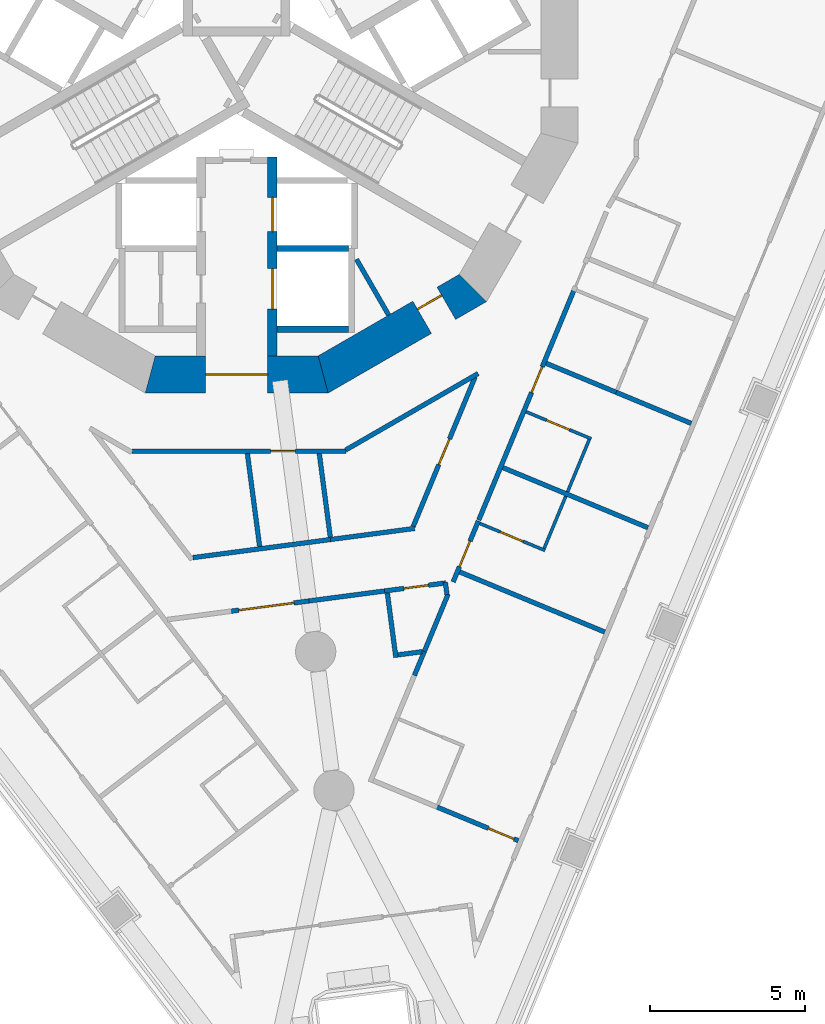
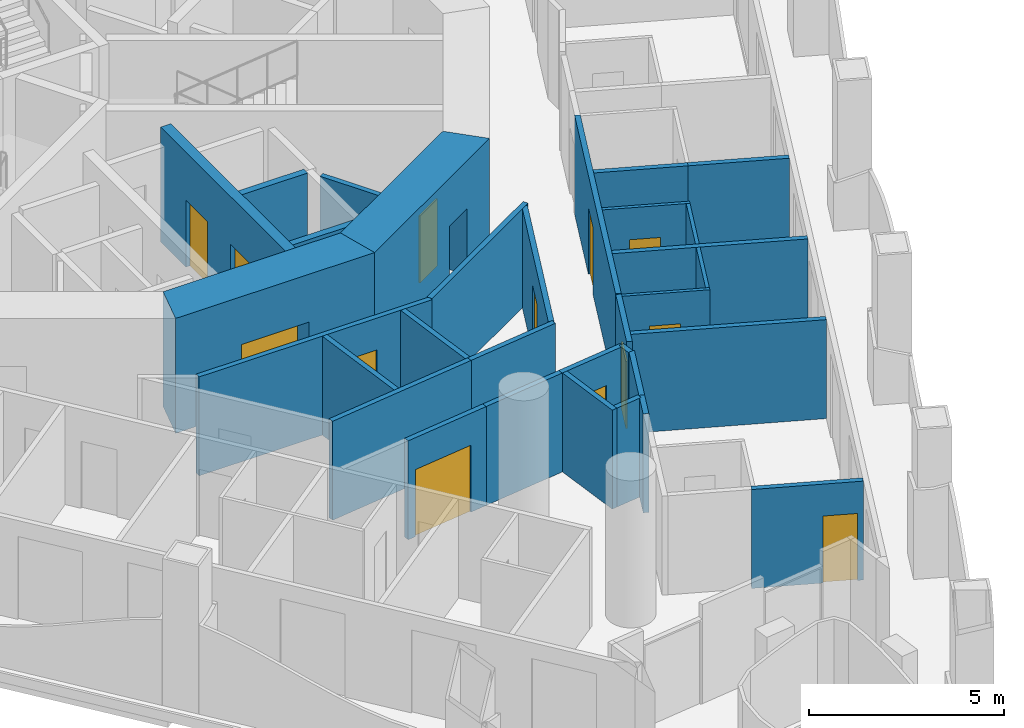
# One storey, part 4 of 19: 32 walls, 13 doors, 13 openings.
"""IFC4 building model written with IfcOpenShell, lengths in metres."""

from ifc_helpers import new_model, si_unit, direction, frame, frame_2d, origin, place, context, subcontext, project, spatial, polyline, rectangle, outline, extrude, material, layer, layer_set, type_object, element, fill, save


model = new_model("IFC4")

# Units and contexts
model_context = context("Model", 3, precision=1e-05, world=origin(), true_north=direction((0.0, 1.0)))
body_context = subcontext(model_context, "Body", "Model", "MODEL_VIEW")
ifc_project = project(units=[si_unit("LENGTHUNIT", "METRE"), si_unit("AREAUNIT", "SQUARE_METRE"), si_unit("VOLUMEUNIT", "CUBIC_METRE"), si_unit("PLANEANGLEUNIT", "RADIAN"), si_unit("MASSUNIT", "GRAM", prefix="KILO")], contexts=[model_context])

# Site, building, storey
site_placement = place(None, origin())
site = spatial("IfcSite", under=ifc_project, at=site_placement, CompositionType="ELEMENT")
building_placement = place(site_placement, origin())
building = spatial("IfcBuilding", under=site, at=building_placement, Name="Trine Commons Tower", CompositionType="ELEMENT")
storey_placement = place(building_placement, frame((0.0, 0.0, 79.199951171875)))
storey = spatial("IfcBuildingStorey", under=building, at=storey_placement, Name="L19", CompositionType="ELEMENT", Elevation=79.199951171875)

# Wall
ifc_material_1 = material(Name="Plasterboard partition on steel studs", Category="steel")
ifc_layer_1 = layer(ifc_material_1, 0.14990234375)
ifc_layer_set_1 = layer_set([ifc_layer_1], Name="Plasterboard partition on steel studs")
wall_type_1 = type_object("IfcWallType", Name="Core room partition 150 mm, EI 60", PredefinedType="PARTITIONING", material=ifc_layer_set_1)
wall_1_placement = place(storey_placement, frame((84.905029296875, 54.0029296875, 0.0), z_axis=(0.0, 0.0, 1.0), x_axis=(-0.5000780968, 0.865980309881, 0.0)))
element("IfcWall", 1, at=wall_1_placement, inside=storey, type_object=wall_type_1, Name="Core room partition L19", PredefinedType="PARTITIONING", context=body_context, shape_type="SweptSolid", body=[
    extrude(rectangle(XDim=2.079833984375, YDim=0.14990234375, at=frame_2d((1.0400390625, 0.0))), origin(), (0.0, 0.0, 1.0), 3.10009765625),
])

# Wall, opening, door
ifc_material_2 = material(Name="Concrete C80/95", Category="concrete")
ifc_layer_2 = layer(ifc_material_2, 1.199951171875)
ifc_layer_set_2 = layer_set([ifc_layer_2], Name="Concrete C80/95")
wall_type_2 = type_object("IfcWallType", Name="RC shear wall 1200 mm, C80/95", PredefinedType="SHEAR", material=ifc_layer_set_2)
wall_2_placement = place(storey_placement, frame((77.049560546875, 52.08837890625, 0.0), z_axis=(0.0, 0.0, 1.0), x_axis=(1.0, 0.0, 0.0)))
wall_2 = element("IfcWall", 2, at=wall_2_placement, inside=storey, type_object=wall_type_2, Name="Core wall CWB-10 L19", PredefinedType="SHEAR", context=body_context, shape_type="SweptSolid", body=[
    extrude(outline(polyline([(0.0, -0.60009765625), (5.90087890625, -0.60009765625), (5.57958984375, 0.60009765625), (0.321533203125, 0.60009765625), (0.0, -0.60009765625)])), origin(), (0.0, 0.0, 1.0), 3.60009765625),
])
opening_1_placement = place(wall_2_placement, frame((1.950439453125, 0.0, 0.0)))
opening_1 = element("IfcOpeningElement", 3, at=opening_1_placement, cuts=wall_2, Name="Opening K06.08", PredefinedType="OPENING", context=body_context, shape_type="SweptSolid", body=[
    extrude(rectangle(XDim=2.0, YDim=2.10009765625, at=frame_2d((1.0, 1.050048828125))), frame((0.0, 0.60986328125, 0.0), z_axis=(0.0, -1.0, 0.0), x_axis=(1.0, 0.0, 0.0)), (0.0, 0.0, 1.0), 1.219970703125),
])
ifc_material_3 = material(Name="Steel door leaves, fire-rated", Category="steel")
door_type_1 = type_object("IfcDoorType", Name="Lobby door, double leaf 2000 x 2100, FD60", OperationType="DOUBLE_DOOR_SINGLE_SWING", PredefinedType="DOOR", material=ifc_material_3)
door_1_placement = place(opening_1_placement, origin())
door_1 = element("IfcDoor", 4, at=door_1_placement, inside=storey, type_object=door_type_1, Name="Lobby door, Service and firefighting lobby L19", OperationType="DOUBLE_DOOR_SINGLE_SWING", OverallHeight=2.10009765625, OverallWidth=2.0, PredefinedType="DOOR", context=body_context, shape_type="SweptSolid", body=[
    extrude(rectangle(XDim=2.0, YDim=2.10009765625, at=frame_2d((1.0, 1.050048828125))), frame((0.0, 0.02490234375, 0.0), z_axis=(0.0, -1.0, 0.0), x_axis=(1.0, 0.0, 0.0)), (0.0, 0.0, 1.0), 0.050048828125),
])
fill(opening_1, door_1)

wall_3_placement = place(storey_placement, frame((82.650390625, 52.008056640625, 0.0), z_axis=(0.0, 0.0, 1.0), x_axis=(0.866037463336, 0.499979111662, 0.0)))
wall_3 = element("IfcWall", 5, at=wall_3_placement, inside=storey, type_object=wall_type_2, Name="Core wall CWB-11 L19", PredefinedType="SHEAR", context=body_context, shape_type="SweptSolid", body=[
    extrude(outline(polyline([(0.0, -0.60009765625), (5.901123046875, -0.60009765625), (5.57958984375, 0.60009765625), (0.321533203125, 0.60009765625), (0.0, -0.60009765625)])), origin(), (0.0, 0.0, 1.0), 3.60009765625),
])
opening_2_placement = place(wall_3_placement, frame((3.849853515625, 0.0, 0.0)))
opening_2 = element("IfcOpeningElement", 6, at=opening_2_placement, cuts=wall_3, Name="Opening K06.16", PredefinedType="OPENING", context=body_context, shape_type="SweptSolid", body=[
    extrude(rectangle(XDim=0.89990234375, YDim=2.10009765625, at=frame_2d((0.449951171875, 1.050048828125))), frame((0.0, 0.60986328125, 0.0), z_axis=(0.0, -1.0, 0.0), x_axis=(1.0, 0.0, 0.0)), (0.0, 0.0, 1.0), 1.219970703125),
])
ifc_material_4 = material(Name="Steel door leaf, fire-rated", Category="steel")
door_type_2 = type_object("IfcDoorType", Name="Core room door, single leaf 900 x 2100, FD30S", OperationType="SINGLE_SWING_LEFT", PredefinedType="DOOR", material=ifc_material_4)
door_2_placement = place(opening_2_placement, origin())
door_2 = element("IfcDoor", 7, at=door_2_placement, inside=storey, type_object=door_type_2, Name="Door to Cleaner's store L19", OperationType="SINGLE_SWING_RIGHT", OverallHeight=2.10009765625, OverallWidth=0.89990234375, PredefinedType="DOOR", context=body_context, shape_type="SweptSolid", body=[
    extrude(rectangle(XDim=0.89990234375, YDim=2.10009765625, at=frame_2d((0.449951171875, 1.050048828125))), frame((0.0, 0.3251953125, 0.0), z_axis=(0.0, -1.0, 0.0), x_axis=(1.0, 0.0, 0.0)), (0.0, 0.0, 1.0), 0.050048828125),
])
fill(opening_2, door_2)

# Wall, openings, doors
ifc_layer_3 = layer(ifc_material_2, 0.300048828125)
ifc_layer_set_3 = layer_set([ifc_layer_3], Name="Concrete C80/95")
wall_type_3 = type_object("IfcWallType", Name="RC shear wall 300 mm, C80/95", PredefinedType="SHEAR", material=ifc_layer_set_3)
wall_4_placement = place(storey_placement, frame((81.14990234375, 59.10009765625, 0.0), z_axis=(0.0, 0.0, 1.0), x_axis=(0.0, -1.0, 0.0)))
wall_4 = element("IfcWall", 8, at=wall_4_placement, inside=storey, type_object=wall_type_3, Name="Core cross wall SWA-04 L19", PredefinedType="SHEAR", context=body_context, shape_type="SweptSolid", body=[
    extrude(rectangle(XDim=6.412109375, YDim=0.300048828125, at=frame_2d((3.2060546875, 0.0))), origin(), (0.0, 0.0, 1.0), 3.60009765625),
])
opening_3_placement = place(wall_4_placement, frame((3.60009765625, 0.0, 0.0)))
opening_3 = element("IfcOpeningElement", 9, at=opening_3_placement, cuts=wall_4, Name="Opening LD11", PredefinedType="OPENING", context=body_context, shape_type="SweptSolid", body=[
    extrude(rectangle(XDim=1.300048828125, YDim=2.10009765625, at=frame_2d((0.64990234375, 1.050048828125))), frame((0.0, 0.159912109375, 0.0), z_axis=(0.0, -1.0, 0.0), x_axis=(1.0, 0.0, 0.0)), (0.0, 0.0, 1.0), 0.320068359375),
])
opening_4_placement = place(wall_4_placement, frame((1.300048828125, 0.0, 0.0)))
opening_4 = element("IfcOpeningElement", 10, at=opening_4_placement, cuts=wall_4, Name="Opening LD9", PredefinedType="OPENING", context=body_context, shape_type="SweptSolid", body=[
    extrude(rectangle(XDim=1.10009765625, YDim=2.10009765625, at=frame_2d((0.550048828125, 1.050048828125))), frame((0.0, 0.159912109375, 0.0), z_axis=(0.0, -1.0, 0.0), x_axis=(1.0, 0.0, 0.0)), (0.0, 0.0, 1.0), 0.320068359375),
])
ifc_material_5 = material(Name="Stainless steel sliding door leaves", Category="steel")
door_type_3 = type_object("IfcDoorType", Name="Lift landing door, centre-opening sliding 1100 x 2100, FD90", OperationType="DOUBLE_DOOR_SLIDING", PredefinedType="DOOR", material=ifc_material_5)
door_3_placement = place(opening_4_placement, origin())
door_3 = element("IfcDoor", 11, at=door_3_placement, inside=storey, type_object=door_type_3, Name="Lift landing door FF1 L19", OperationType="DOUBLE_DOOR_SLIDING", OverallHeight=2.10009765625, OverallWidth=1.10009765625, PredefinedType="DOOR", context=body_context, shape_type="SweptSolid", body=[
    extrude(rectangle(XDim=1.10009765625, YDim=2.10009765625, at=frame_2d((0.550048828125, 1.050048828125))), frame((0.0, 0.02490234375, 0.0), z_axis=(0.0, -1.0, 0.0), x_axis=(1.0, 0.0, 0.0)), (0.0, 0.0, 1.0), 0.050048828125),
])
fill(opening_4, door_3)
door_type_4 = type_object("IfcDoorType", Name="Lift landing door, centre-opening sliding 1300 x 2100, FD90", OperationType="DOUBLE_DOOR_SLIDING", PredefinedType="DOOR", material=ifc_material_5)
door_4_placement = place(opening_3_placement, origin())
door_4 = element("IfcDoor", 12, at=door_4_placement, inside=storey, type_object=door_type_4, Name="Lift landing door G1 L19", OperationType="DOUBLE_DOOR_SLIDING", OverallHeight=2.10009765625, OverallWidth=1.300048828125, PredefinedType="DOOR", context=body_context, shape_type="SweptSolid", body=[
    extrude(rectangle(XDim=1.300048828125, YDim=2.10009765625, at=frame_2d((0.64990234375, 1.050048828125))), frame((0.0, 0.02490234375, 0.0), z_axis=(0.0, -1.0, 0.0), x_axis=(1.0, 0.0, 0.0)), (0.0, 0.0, 1.0), 0.050048828125),
])
fill(opening_3, door_4)

# Walls
ifc_material_6 = material(Name="Fire-rated gypsum shaft wall system")
ifc_layer_4 = layer(ifc_material_6, 0.199951171875)
ifc_layer_set_4 = layer_set([ifc_layer_4], Name="Fire-rated gypsum shaft wall system")
wall_type_4 = type_object("IfcWallType", Name="Shaft wall 200 mm, EI 120", PredefinedType="PARTITIONING", material=ifc_layer_set_4)
for number, where, z_axis, x_axis, name in (
    (13, (81.300048828125, 53.550048828125, 0.0), (0.0, 0.0, 1.0), (1.0, 0.0, 0.0), "Shaft wall L19"),
    (14, (81.300048828125, 56.14990234375, 0.0), (0.0, 0.0, 1.0), (1.0, 0.0, 0.0), "Shaft wall L19"),
):
    element("IfcWall", number, at=place(storey_placement, frame(where, z_axis=z_axis, x_axis=x_axis)), inside=storey, type_object=wall_type_4, Name=name, PredefinedType="PARTITIONING", context=body_context, shape_type="SweptSolid", body=[
        extrude(rectangle(XDim=2.300048828125, YDim=0.199951171875, at=frame_2d((1.14990234375, 0.0))), origin(), (0.0, 0.0, 1.0), 3.10009765625),
    ])

# Wall, opening, door
ifc_material_7 = material(Name="Gypsum plasterboard on steel stud", Category="steel")
ifc_layer_5 = layer(ifc_material_7, 0.14990234375)
ifc_layer_set_5 = layer_set([ifc_layer_5], Name="Gypsum plasterboard on steel stud")
wall_type_5 = type_object("IfcWallType", Name="Unit and corridor wall 150 mm, EI 60", PredefinedType="PARTITIONING", material=ifc_layer_set_5)
wall_5_placement = place(storey_placement, frame((76.6220703125, 49.613037109375, 0.0), z_axis=(0.0, 0.0, 1.0), x_axis=(1.0, 0.0, 0.0)))
wall_5 = element("IfcWall", 15, at=wall_5_placement, inside=storey, type_object=wall_type_5, Name="Partition 068", PredefinedType="PARTITIONING", context=body_context, shape_type="SweptSolid", body=[
    extrude(rectangle(XDim=6.906005859375, YDim=0.14990234375, at=frame_2d((3.453125, 0.0))), origin(), (0.0, 0.0, 1.0), 3.10009765625),
])
opening_5_placement = place(wall_5_placement, frame((4.472900390625, 0.0, 0.0)))
opening_5 = element("IfcOpeningElement", 16, at=opening_5_placement, cuts=wall_5, Name="Opening D-2C40", PredefinedType="OPENING", context=body_context, shape_type="SweptSolid", body=[
    extrude(rectangle(XDim=0.800048828125, YDim=2.10009765625, at=frame_2d((0.39990234375, 1.050048828125))), frame((0.0, 0.0849609375, 0.0), z_axis=(0.0, -1.0, 0.0), x_axis=(1.0, 0.0, 0.0)), (0.0, 0.0, 1.0), 0.169921875),
])
ifc_material_8 = material(Name="Painted timber", Category="wood")
door_type_5 = type_object("IfcDoorType", Name="Toilet door 800 x 2100, NOT RATED", OperationType="NOTDEFINED", PredefinedType="DOOR", material=ifc_material_8)
door_5_placement = place(opening_5_placement, frame((0.800048828125, 0.0, 0.0), z_axis=(0.0, 0.0, 1.0), x_axis=(-1.0, 0.0, 0.0)))
door_5 = element("IfcDoor", 17, at=door_5_placement, inside=storey, type_object=door_type_5, Name="Door D-2C40", OperationType="SINGLE_SWING_LEFT", OverallHeight=2.10009765625, OverallWidth=0.800048828125, PredefinedType="DOOR", context=body_context, shape_type="SweptSolid", body=[
    extrude(rectangle(XDim=0.800048828125, YDim=2.10009765625, at=frame_2d((0.39990234375, 1.050048828125))), frame((0.0, 0.02490234375, 0.0), z_axis=(0.0, -1.0, 0.0), x_axis=(1.0, 0.0, 0.0)), (0.0, 0.0, 1.0), 0.050048828125),
])
fill(opening_5, door_5)

# Wall
wall_6_placement = place(storey_placement, frame((78.58642578125, 46.177734375, 0.0), z_axis=(0.0, 0.0, 1.0), x_axis=(0.991454110298, 0.130455920425, 0.0)))
element("IfcWall", 18, at=wall_6_placement, inside=storey, type_object=wall_type_5, Name="Partition 074", PredefinedType="PARTITIONING", context=body_context, shape_type="SweptSolid", body=[
    extrude(rectangle(XDim=4.48583984375, YDim=0.14990234375, at=frame_2d((2.242919921875, 0.0))), origin(), (0.0, 0.0, 1.0), 3.10009765625),
])

# Wall, opening, door
wall_7_placement = place(storey_placement, frame((79.830078125, 44.450927734375, 0.0), z_axis=(0.0, 0.0, 1.0), x_axis=(0.991466141497, 0.130364451691, 0.0)))
wall_7 = element("IfcWall", 19, at=wall_7_placement, inside=storey, type_object=wall_type_5, Name="Partition 079", PredefinedType="PARTITIONING", context=body_context, shape_type="SweptSolid", body=[
    extrude(rectangle(XDim=2.5244140625, YDim=0.14990234375, at=frame_2d((1.26220703125, 0.0))), origin(), (0.0, 0.0, 1.0), 3.10009765625),
])
opening_6_placement = place(wall_7_placement, frame((0.23486328125, 0.0, 0.0)))
opening_6 = element("IfcOpeningElement", 20, at=opening_6_placement, cuts=wall_7, Name="Opening D-2C02", PredefinedType="OPENING", context=body_context, shape_type="SweptSolid", body=[
    extrude(rectangle(XDim=1.800048828125, YDim=2.10009765625, at=frame_2d((0.89990234375, 1.050048828125))), frame((0.0, 0.0849609375, 0.0), z_axis=(0.0, -1.0, 0.0), x_axis=(1.0, 0.0, 0.0)), (0.0, 0.0, 1.0), 0.169921875),
])
ifc_material_9 = material(Name="Timber fire door set", Category="wood")
door_type_6 = type_object("IfcDoorType", Name="Cluster entrance door 1800 x 2100, double leaf, FD30S", OperationType="DOUBLE_DOOR_DOUBLE_SWING", PredefinedType="DOOR", material=ifc_material_9)
door_6_placement = place(opening_6_placement, frame((1.800048828125, 0.0, 0.0), z_axis=(0.0, 0.0, 1.0), x_axis=(-1.0, 0.0, 0.0)))
door_6 = element("IfcDoor", 21, at=door_6_placement, inside=storey, type_object=door_type_6, Name="Door D-2C02", OperationType="DOUBLE_DOOR_DOUBLE_SWING", OverallHeight=2.10009765625, OverallWidth=1.800048828125, PredefinedType="DOOR", context=body_context, shape_type="SweptSolid", body=[
    extrude(rectangle(XDim=1.800048828125, YDim=2.10009765625, at=frame_2d((0.89990234375, 1.050048828125))), frame((0.0, 0.02490234375, 0.0), z_axis=(0.0, -1.0, 0.0), x_axis=(1.0, 0.0, 0.0)), (0.0, 0.0, 1.0), 0.050048828125),
])
fill(opening_6, door_6)

# Walls
wall_8_placement = place(storey_placement, frame((80.3447265625, 49.53857421875, 0.0), z_axis=(0.0, 0.0, 1.0), x_axis=(0.130652703184, -0.991428197678, 0.0)))
element("IfcWall", 22, at=wall_8_placement, inside=storey, type_object=wall_type_5, Name="Partition 081", PredefinedType="PARTITIONING", context=body_context, shape_type="SweptSolid", body=[
    extrude(rectangle(XDim=3.027099609375, YDim=0.14990234375, at=frame_2d((1.513671875, 0.0))), origin(), (0.0, 0.0, 1.0), 3.10009765625),
])
wall_9_placement = place(storey_placement, frame((82.3330078125, 44.780029296875, 0.0), z_axis=(0.0, 0.0, 1.0), x_axis=(0.991416071527, 0.130744686764, 0.0)))
element("IfcWall", 23, at=wall_9_placement, inside=storey, type_object=wall_type_5, Name="Partition 083", PredefinedType="PARTITIONING", context=body_context, shape_type="SweptSolid", body=[
    extrude(rectangle(XDim=2.524658203125, YDim=0.14990234375, at=frame_2d((1.26220703125, 0.0))), origin(), (0.0, 0.0, 1.0), 3.10009765625),
])
wall_10_placement = place(storey_placement, frame((82.664794921875, 49.53857421875, 0.0), z_axis=(0.0, 0.0, 1.0), x_axis=(0.130473056883, -0.991451855325, 0.0)))
element("IfcWall", 24, at=wall_10_placement, inside=storey, type_object=wall_type_5, Name="Partition 084", PredefinedType="PARTITIONING", context=body_context, shape_type="SweptSolid", body=[
    extrude(rectangle(XDim=2.724365234375, YDim=0.14990234375, at=frame_2d((1.3623046875, 0.0))), origin(), (0.0, 0.0, 1.0), 3.10009765625),
])
wall_11_placement = place(storey_placement, frame((83.02587890625, 46.761962890625, 0.0), z_axis=(0.0, 0.0, 1.0), x_axis=(0.991413869998, 0.130761379525, 0.0)))
element("IfcWall", 25, at=wall_11_placement, inside=storey, type_object=wall_type_5, Name="Partition 085", PredefinedType="PARTITIONING", context=body_context, shape_type="SweptSolid", body=[
    extrude(rectangle(XDim=2.737060546875, YDim=0.14990234375, at=frame_2d((1.36865234375, 0.0))), origin(), (0.0, 0.0, 1.0), 3.10009765625),
])
wall_12_placement = place(storey_placement, frame((83.517822265625, 49.650390625, 0.0), z_axis=(0.0, 0.0, 1.0), x_axis=(0.865971288988, 0.500093717866, 0.0)))
element("IfcWall", 26, at=wall_12_placement, inside=storey, type_object=wall_type_5, Name="Partition 086", PredefinedType="PARTITIONING", context=body_context, shape_type="SweptSolid", body=[
    extrude(rectangle(XDim=4.93310546875, YDim=0.14990234375, at=frame_2d((2.466552734375, 0.0))), origin(), (0.0, 0.0, 1.0), 3.10009765625),
])

# Wall, opening, door
wall_13_placement = place(storey_placement, frame((84.772705078125, 45.102294921875, 0.0), z_axis=(0.0, 0.0, 1.0), x_axis=(0.991450105095, 0.130486356022, 0.0)))
wall_13 = element("IfcWall", 27, at=wall_13_placement, inside=storey, type_object=wall_type_5, Name="Partition 089", PredefinedType="PARTITIONING", context=body_context, shape_type="SweptSolid", body=[
    extrude(rectangle(XDim=1.983154296875, YDim=0.14990234375, at=frame_2d((0.99169921875, 0.0))), origin(), (0.0, 0.0, 1.0), 3.10009765625),
])
opening_7_placement = place(wall_13_placement, frame((0.629150390625, 0.0, 0.0)))
opening_7 = element("IfcOpeningElement", 28, at=opening_7_placement, cuts=wall_13, Name="Opening D-2C05", PredefinedType="OPENING", context=body_context, shape_type="SweptSolid", body=[
    extrude(rectangle(XDim=0.800048828125, YDim=2.10009765625, at=frame_2d((0.39990234375, 1.050048828125))), frame((0.0, 0.0849609375, 0.0), z_axis=(0.0, -1.0, 0.0), x_axis=(1.0, 0.0, 0.0)), (0.0, 0.0, 1.0), 0.169921875),
])
door_7_placement = place(opening_7_placement, frame((0.800048828125, 0.0, 0.0), z_axis=(0.0, 0.0, 1.0), x_axis=(-1.0, 0.0, 0.0)))
door_7 = element("IfcDoor", 29, at=door_7_placement, inside=storey, type_object=door_type_5, Name="Door D-2C05", OperationType="SINGLE_SWING_LEFT", OverallHeight=2.10009765625, OverallWidth=0.800048828125, PredefinedType="DOOR", context=body_context, shape_type="SweptSolid", body=[
    extrude(rectangle(XDim=0.800048828125, YDim=2.10009765625, at=frame_2d((0.39990234375, 1.050048828125))), frame((0.0, 0.02490234375, 0.0), z_axis=(0.0, -1.0, 0.0), x_axis=(1.0, 0.0, 0.0)), (0.0, 0.0, 1.0), 0.050048828125),
])
fill(opening_7, door_7)

# Walls
wall_14_placement = place(storey_placement, frame((84.86083984375, 45.03759765625, 0.0), z_axis=(0.0, 0.0, 1.0), x_axis=(0.130899564309, -0.991395634479, 0.0)))
element("IfcWall", 30, at=wall_14_placement, inside=storey, type_object=wall_type_5, Name="Partition 090", PredefinedType="PARTITIONING", context=body_context, shape_type="SweptSolid", body=[
    extrude(rectangle(XDim=2.10009765625, YDim=0.14990234375, at=frame_2d((1.050048828125, 0.0))), origin(), (0.0, 0.0, 1.0), 3.10009765625),
])
wall_15_placement = place(storey_placement, frame((85.200439453125, 43.039794921875, 0.0), z_axis=(0.0, 0.0, 1.0), x_axis=(0.991515431038, 0.129989038049, 0.0)))
element("IfcWall", 31, at=wall_15_placement, inside=storey, type_object=wall_type_5, Name="Partition 091", PredefinedType="PARTITIONING", context=body_context, shape_type="SweptSolid", body=[
    extrude(rectangle(XDim=0.786865234375, YDim=0.14990234375, at=frame_2d((0.3935546875, 0.0))), origin(), (0.0, 0.0, 1.0), 3.10009765625),
])

# Wall, opening, door
wall_16_placement = place(storey_placement, frame((85.693603515625, 47.17919921875, 0.0), z_axis=(0.0, 0.0, 1.0), x_axis=(0.382564920946, 0.923928612643, 0.0)))
wall_16 = element("IfcWall", 32, at=wall_16_placement, inside=storey, type_object=wall_type_5, Name="Partition 096", PredefinedType="PARTITIONING", context=body_context, shape_type="SweptSolid", body=[
    extrude(rectangle(XDim=5.227294921875, YDim=0.14990234375, at=frame_2d((2.61376953125, 0.0))), origin(), (0.0, 0.0, 1.0), 3.10009765625),
])
opening_8_placement = place(wall_16_placement, frame((2.16357421875, 0.0, 0.0)))
opening_8 = element("IfcOpeningElement", 33, at=opening_8_placement, cuts=wall_16, Name="Opening D-2C34", PredefinedType="OPENING", context=body_context, shape_type="SweptSolid", body=[
    extrude(rectangle(XDim=0.89990234375, YDim=2.10009765625, at=frame_2d((0.449951171875, 1.050048828125))), frame((0.0, 0.0849609375, 0.0), z_axis=(0.0, -1.0, 0.0), x_axis=(1.0, 0.0, 0.0)), (0.0, 0.0, 1.0), 0.169921875),
])
door_type_7 = type_object("IfcDoorType", Name="Service door 900 x 2100, FD30S", OperationType="NOTDEFINED", PredefinedType="DOOR", material=ifc_material_9)
door_8_placement = place(opening_8_placement, origin())
door_8 = element("IfcDoor", 34, at=door_8_placement, inside=storey, type_object=door_type_7, Name="Door D-2C34", OperationType="SINGLE_SWING_LEFT", OverallHeight=2.10009765625, OverallWidth=0.89990234375, PredefinedType="DOOR", context=body_context, shape_type="SweptSolid", body=[
    extrude(rectangle(XDim=0.89990234375, YDim=2.10009765625, at=frame_2d((0.449951171875, 1.050048828125))), frame((0.0, 0.02490234375, 0.0), z_axis=(0.0, -1.0, 0.0), x_axis=(1.0, 0.0, 0.0)), (0.0, 0.0, 1.0), 0.050048828125),
])
fill(opening_8, door_8)

# Walls
wall_17_placement = place(storey_placement, frame((85.73388671875, 42.3779296875, 0.0), z_axis=(0.0, 0.0, 1.0), x_axis=(0.383063523393, 0.923722002036, 0.0)))
element("IfcWall", 35, at=wall_17_placement, inside=storey, type_object=wall_type_5, Name="Partition 097", PredefinedType="PARTITIONING", context=body_context, shape_type="SweptSolid", body=[
    extrude(rectangle(XDim=0.838134765625, YDim=0.14990234375, at=frame_2d((0.4189453125, 0.0))), origin(), (0.0, 0.0, 1.0), 3.10009765625),
])
wall_18_placement = place(storey_placement, frame((86.054931640625, 43.152099609375, 0.0), z_axis=(0.0, 0.0, 1.0), x_axis=(0.382829605696, 0.923818971987, 0.0)))
element("IfcWall", 36, at=wall_18_placement, inside=storey, type_object=wall_type_5, Name="Partition 098", PredefinedType="PARTITIONING", context=body_context, shape_type="SweptSolid", body=[
    extrude(rectangle(XDim=2.00048828125, YDim=0.14990234375, at=frame_2d((1.000244140625, 0.0))), origin(), (0.0, 0.0, 1.0), 3.10009765625),
])

# Wall, opening, door
wall_19_placement = place(storey_placement, frame((86.413818359375, 38.151123046875, 0.0), z_axis=(0.0, 0.0, 1.0), x_axis=(0.923916054036, -0.382595249703, 0.0)))
wall_19 = element("IfcWall", 37, at=wall_19_placement, inside=storey, type_object=wall_type_5, Name="Partition 099", PredefinedType="PARTITIONING", context=body_context, shape_type="SweptSolid", body=[
    extrude(rectangle(XDim=2.893310546875, YDim=0.14990234375, at=frame_2d((1.44677734375, 0.0))), origin(), (0.0, 0.0, 1.0), 3.10009765625),
])
opening_9_placement = place(wall_19_placement, frame((1.84326171875, 0.0, 0.0)))
opening_9 = element("IfcOpeningElement", 38, at=opening_9_placement, cuts=wall_19, Name="Opening D-2C23", PredefinedType="OPENING", context=body_context, shape_type="SweptSolid", body=[
    extrude(rectangle(XDim=0.89990234375, YDim=2.10009765625, at=frame_2d((0.449951171875, 1.050048828125))), frame((0.0, 0.0849609375, 0.0), z_axis=(0.0, -1.0, 0.0), x_axis=(1.0, 0.0, 0.0)), (0.0, 0.0, 1.0), 0.169921875),
])
door_type_8 = type_object("IfcDoorType", Name="Bedroom door 900 x 2100, FD30S", OperationType="NOTDEFINED", PredefinedType="DOOR", material=ifc_material_9)
door_9_placement = place(opening_9_placement, origin())
door_9 = element("IfcDoor", 39, at=door_9_placement, inside=storey, type_object=door_type_8, Name="Door D-2C23", OperationType="SINGLE_SWING_RIGHT", OverallHeight=2.10009765625, OverallWidth=0.89990234375, PredefinedType="DOOR", context=body_context, shape_type="SweptSolid", body=[
    extrude(rectangle(XDim=0.89990234375, YDim=2.10009765625, at=frame_2d((0.449951171875, 1.050048828125))), frame((0.0, 0.02490234375, 0.0), z_axis=(0.0, -1.0, 0.0), x_axis=(1.0, 0.0, 0.0)), (0.0, 0.0, 1.0), 0.050048828125),
])
fill(opening_9, door_9)

# Wall
wall_20_placement = place(storey_placement, frame((86.732177734375, 45.380859375, 0.0), z_axis=(0.0, 0.0, 1.0), x_axis=(0.131843859112, -0.99127049629, 0.0)))
element("IfcWall", 40, at=wall_20_placement, inside=storey, type_object=wall_type_5, Name="Partition 102", PredefinedType="PARTITIONING", context=body_context, shape_type="SweptSolid", body=[
    extrude(rectangle(XDim=0.39990234375, YDim=0.14990234375, at=frame_2d((0.199951171875, 0.0))), origin(), (0.0, 0.0, 1.0), 3.10009765625),
])

# Wall, opening, door
wall_21_placement = place(storey_placement, frame((86.98291015625, 45.39306640625, 0.0), z_axis=(0.0, 0.0, 1.0), x_axis=(0.382618621816, 0.923906375257, 0.0)))
wall_21 = element("IfcWall", 41, at=wall_21_placement, inside=storey, type_object=wall_type_5, Name="Partition 103", PredefinedType="PARTITIONING", context=body_context, shape_type="SweptSolid", body=[
    extrude(rectangle(XDim=2.1279296875, YDim=0.14990234375, at=frame_2d((1.06396484375, 0.0))), origin(), (0.0, 0.0, 1.0), 3.10009765625),
])
opening_10_placement = place(wall_21_placement, frame((0.52978515625, 0.0, 0.0)))
opening_10 = element("IfcOpeningElement", 42, at=opening_10_placement, cuts=wall_21, Name="Opening D-2C22", PredefinedType="OPENING", context=body_context, shape_type="SweptSolid", body=[
    extrude(rectangle(XDim=0.89990234375, YDim=2.10009765625, at=frame_2d((0.449951171875, 1.050048828125))), frame((0.0, 0.0849609375, 0.0), z_axis=(0.0, -1.0, 0.0), x_axis=(1.0, 0.0, 0.0)), (0.0, 0.0, 1.0), 0.169921875),
])
door_10_placement = place(opening_10_placement, frame((0.89990234375, 0.0, 0.0), z_axis=(0.0, 0.0, 1.0), x_axis=(-1.0, 0.0, 0.0)))
door_10 = element("IfcDoor", 43, at=door_10_placement, inside=storey, type_object=door_type_8, Name="Door D-2C22", OperationType="SINGLE_SWING_RIGHT", OverallHeight=2.10009765625, OverallWidth=0.89990234375, PredefinedType="DOOR", context=body_context, shape_type="SweptSolid", body=[
    extrude(rectangle(XDim=0.89990234375, YDim=2.10009765625, at=frame_2d((0.449951171875, 1.050048828125))), frame((0.0, 0.02490234375, 0.0), z_axis=(0.0, -1.0, 0.0), x_axis=(1.0, 0.0, 0.0)), (0.0, 0.0, 1.0), 0.050048828125),
])
fill(opening_10, door_10)

# Wall
wall_22_placement = place(storey_placement, frame((87.197265625, 45.71533203125, 0.0), z_axis=(0.0, 0.0, 1.0), x_axis=(0.923879340067, -0.382683896966, 0.0)))
element("IfcWall", 44, at=wall_22_placement, inside=storey, type_object=wall_type_5, Name="Partition 104", PredefinedType="PARTITIONING", context=body_context, shape_type="SweptSolid", body=[
    extrude(rectangle(XDim=5.064208984375, YDim=0.14990234375, at=frame_2d((2.5322265625, 0.0))), origin(), (0.0, 0.0, 1.0), 3.10009765625),
])

# Wall, opening, door
wall_23_placement = place(storey_placement, frame((87.81103515625, 47.39306640625, 0.0), z_axis=(0.0, 0.0, 1.0), x_axis=(0.382690813145, 0.923876475257, 0.0)))
wall_23 = element("IfcWall", 45, at=wall_23_placement, inside=storey, type_object=wall_type_5, Name="Partition 107", PredefinedType="PARTITIONING", context=body_context, shape_type="SweptSolid", body=[
    extrude(rectangle(XDim=8.05615234375, YDim=0.14990234375, at=frame_2d((4.028076171875, 0.0))), origin(), (0.0, 0.0, 1.0), 3.10009765625),
])
opening_11_placement = place(wall_23_placement, frame((4.451904296875, 0.0, 0.0)))
opening_11 = element("IfcOpeningElement", 46, at=opening_11_placement, cuts=wall_23, Name="Opening D-2C21", PredefinedType="OPENING", context=body_context, shape_type="SweptSolid", body=[
    extrude(rectangle(XDim=0.89990234375, YDim=2.10009765625, at=frame_2d((0.449951171875, 1.050048828125))), frame((0.0, 0.0849609375, 0.0), z_axis=(0.0, -1.0, 0.0), x_axis=(1.0, 0.0, 0.0)), (0.0, 0.0, 1.0), 0.169921875),
])
door_11_placement = place(opening_11_placement, frame((0.89990234375, 0.0, 0.0), z_axis=(0.0, 0.0, 1.0), x_axis=(-1.0, 0.0, 0.0)))
door_11 = element("IfcDoor", 47, at=door_11_placement, inside=storey, type_object=door_type_8, Name="Door D-2C21", OperationType="SINGLE_SWING_LEFT", OverallHeight=2.10009765625, OverallWidth=0.89990234375, PredefinedType="DOOR", context=body_context, shape_type="SweptSolid", body=[
    extrude(rectangle(XDim=0.89990234375, YDim=2.10009765625, at=frame_2d((0.449951171875, 1.050048828125))), frame((0.0, 0.02490234375, 0.0), z_axis=(0.0, -1.0, 0.0), x_axis=(1.0, 0.0, 0.0)), (0.0, 0.0, 1.0), 0.050048828125),
])
fill(opening_11, door_11)

# Walls
wall_24_placement = place(storey_placement, frame((88.59130859375, 49.081298828125, 0.0), z_axis=(0.0, 0.0, 1.0), x_axis=(0.923879340067, -0.382683896966, 0.0)))
element("IfcWall", 48, at=wall_24_placement, inside=storey, type_object=wall_type_5, Name="Partition 110", PredefinedType="PARTITIONING", context=body_context, shape_type="SweptSolid", body=[
    extrude(rectangle(XDim=5.064208984375, YDim=0.14990234375, at=frame_2d((2.5322265625, 0.0))), origin(), (0.0, 0.0, 1.0), 3.10009765625),
])
wall_25_placement = place(storey_placement, frame((89.986328125, 52.447265625, 0.0), z_axis=(0.0, 0.0, 1.0), x_axis=(0.923925561413, -0.382572289859, 0.0)))
element("IfcWall", 49, at=wall_25_placement, inside=storey, type_object=wall_type_5, Name="Partition 116", PredefinedType="PARTITIONING", context=body_context, shape_type="SweptSolid", body=[
    extrude(rectangle(XDim=2.44482421875, YDim=0.14990234375, at=frame_2d((1.222412109375, 0.0))), origin(), (0.0, 0.0, 1.0), 3.10009765625),
])
wall_26_placement = place(storey_placement, frame((92.2451171875, 51.511962890625, 0.0), z_axis=(0.0, 0.0, 1.0), x_axis=(0.923836188424, -0.382788057492, 0.0)))
element("IfcWall", 50, at=wall_26_placement, inside=storey, type_object=wall_type_5, Name="Partition 135", PredefinedType="PARTITIONING", context=body_context, shape_type="SweptSolid", body=[
    extrude(rectangle(XDim=2.619384765625, YDim=0.14990234375, at=frame_2d((1.3095703125, 0.0))), origin(), (0.0, 0.0, 1.0), 3.10009765625),
])

# Wall, opening, door
ifc_layer_6 = layer(ifc_material_7, 0.10009765625)
ifc_layer_set_6 = layer_set([ifc_layer_6], Name="Gypsum plasterboard on steel stud")
wall_type_6 = type_object("IfcWallType", Name="Unit partition 100 mm, no rating", PredefinedType="PARTITIONING", material=ifc_layer_set_6)
wall_27_placement = place(storey_placement, frame((87.84521484375, 47.2802734375, 0.0), z_axis=(0.0, 0.0, 1.0), x_axis=(0.92378006954, -0.382923469012, 0.0)))
wall_27 = element("IfcWall", 51, at=wall_27_placement, inside=storey, type_object=wall_type_6, Name="Partition 106", PredefinedType="PARTITIONING", context=body_context, shape_type="SweptSolid", body=[
    extrude(rectangle(XDim=2.275390625, YDim=0.10009765625, at=frame_2d((1.1376953125, 0.0))), origin(), (0.0, 0.0, 1.0), 3.10009765625),
])
opening_12_placement = place(wall_27_placement, frame((0.712646484375, 0.0, 0.0)))
opening_12 = element("IfcOpeningElement", 52, at=opening_12_placement, cuts=wall_27, Name="Opening D-2C55", PredefinedType="OPENING", context=body_context, shape_type="SweptSolid", body=[
    extrude(rectangle(XDim=0.800048828125, YDim=2.10009765625, at=frame_2d((0.39990234375, 1.050048828125))), frame((0.0, 0.06005859375, 0.0), z_axis=(0.0, -1.0, 0.0), x_axis=(1.0, 0.0, 0.0)), (0.0, 0.0, 1.0), 0.1201171875),
])
door_type_9 = type_object("IfcDoorType", Name="Internal door 800 x 2100, NOT RATED", OperationType="NOTDEFINED", PredefinedType="DOOR", material=ifc_material_8)
door_12_placement = place(opening_12_placement, frame((0.800048828125, 0.0, 0.0), z_axis=(0.0, 0.0, 1.0), x_axis=(-1.0, 0.0, 0.0)))
door_12 = element("IfcDoor", 53, at=door_12_placement, inside=storey, type_object=door_type_9, Name="Door D-2C55", OperationType="SINGLE_SWING_RIGHT", OverallHeight=2.10009765625, OverallWidth=0.800048828125, PredefinedType="DOOR", context=body_context, shape_type="SweptSolid", body=[
    extrude(rectangle(XDim=0.800048828125, YDim=2.10009765625, at=frame_2d((0.39990234375, 1.050048828125))), frame((0.0, 0.02490234375, 0.0), z_axis=(0.0, -1.0, 0.0), x_axis=(1.0, 0.0, 0.0)), (0.0, 0.0, 1.0), 0.050048828125),
])
fill(opening_12, door_12)

wall_28_placement = place(storey_placement, frame((89.33837890625, 50.88330078125, 0.0), z_axis=(0.0, 0.0, 1.0), x_axis=(0.923764335003, -0.382961425442, 0.0)))
wall_28 = element("IfcWall", 54, at=wall_28_placement, inside=storey, type_object=wall_type_6, Name="Partition 112", PredefinedType="PARTITIONING", context=body_context, shape_type="SweptSolid", body=[
    extrude(rectangle(XDim=2.275146484375, YDim=0.10009765625, at=frame_2d((1.1376953125, 0.0))), origin(), (0.0, 0.0, 1.0), 3.10009765625),
])
opening_13_placement = place(wall_28_placement, frame((0.712646484375, 0.0, 0.0)))
opening_13 = element("IfcOpeningElement", 55, at=opening_13_placement, cuts=wall_28, Name="Opening D-2C54", PredefinedType="OPENING", context=body_context, shape_type="SweptSolid", body=[
    extrude(rectangle(XDim=0.800048828125, YDim=2.10009765625, at=frame_2d((0.39990234375, 1.050048828125))), frame((0.0, 0.06005859375, 0.0), z_axis=(0.0, -1.0, 0.0), x_axis=(1.0, 0.0, 0.0)), (0.0, 0.0, 1.0), 0.1201171875),
])
door_13_placement = place(opening_13_placement, origin())
door_13 = element("IfcDoor", 56, at=door_13_placement, inside=storey, type_object=door_type_9, Name="Door D-2C54", OperationType="SINGLE_SWING_LEFT", OverallHeight=2.10009765625, OverallWidth=0.800048828125, PredefinedType="DOOR", context=body_context, shape_type="SweptSolid", body=[
    extrude(rectangle(XDim=0.800048828125, YDim=2.10009765625, at=frame_2d((0.39990234375, 1.050048828125))), frame((0.0, 0.02490234375, 0.0), z_axis=(0.0, -1.0, 0.0), x_axis=(1.0, 0.0, 0.0)), (0.0, 0.0, 1.0), 0.050048828125),
])
fill(opening_13, door_13)

# Walls
wall_29_placement = place(storey_placement, frame((89.920166015625, 46.47412109375, 0.0), z_axis=(0.0, 0.0, 1.0), x_axis=(0.382525049986, 0.923945120737, 0.0)))
element("IfcWall", 57, at=wall_29_placement, inside=storey, type_object=wall_type_6, Name="Partition 115", PredefinedType="PARTITIONING", context=body_context, shape_type="SweptSolid", body=[
    extrude(rectangle(XDim=1.825439453125, YDim=0.10009765625, at=frame_2d((0.91259765625, 0.0))), origin(), (0.0, 0.0, 1.0), 3.10009765625),
])
wall_30_placement = place(storey_placement, frame((90.67578125, 48.29931640625, 0.0), z_axis=(0.0, 0.0, 1.0), x_axis=(0.383056790985, 0.923724793908, 0.0)))
element("IfcWall", 58, at=wall_30_placement, inside=storey, type_object=wall_type_6, Name="Partition 119", PredefinedType="PARTITIONING", context=body_context, shape_type="SweptSolid", body=[
    extrude(rectangle(XDim=1.82470703125, YDim=0.10009765625, at=frame_2d((0.912353515625, 0.0))), origin(), (0.0, 0.0, 1.0), 3.10009765625),
])

save(model, "model.ifc")
